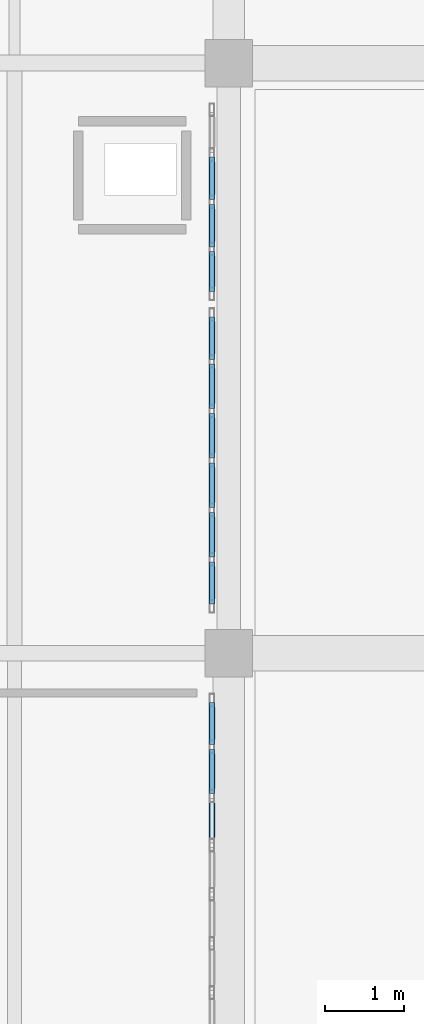
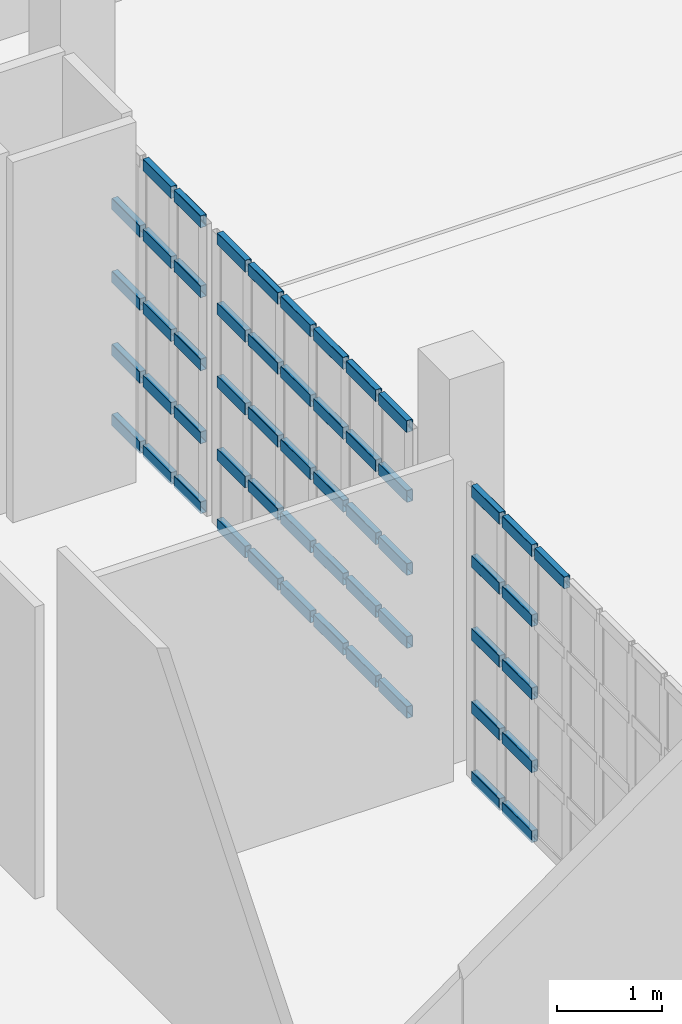
# One storey, part 43 of 73: 55 members, 3 elements without a shape of their own.
"""IFC4 building model written with IfcOpenShell, lengths in metres."""

from ifc_helpers import new_model, si_unit, direction, frame, origin, origin_2d, place, context, subcontext, project, spatial, hollow_rectangle, extrude, material, material_profile, profile_set, type_object, element, aggregate, save


model = new_model("IFC4")

# Units and contexts
model_context = context("Model", 3, precision=1e-05, world=origin(), true_north=direction((0.0, 1.0)))
body_context = subcontext(model_context, "Body", "Model", "MODEL_VIEW")
ifc_project = project(units=[si_unit("LENGTHUNIT", "METRE"), si_unit("AREAUNIT", "SQUARE_METRE"), si_unit("VOLUMEUNIT", "CUBIC_METRE"), si_unit("PLANEANGLEUNIT", "RADIAN"), si_unit("MASSUNIT", "GRAM", prefix="KILO")], contexts=[model_context])

# Site, building, storey
site_placement = place(None, origin())
site = spatial("IfcSite", under=ifc_project, at=site_placement, CompositionType="ELEMENT")
building_placement = place(site_placement, origin())
building = spatial("IfcBuilding", under=site, at=building_placement, Name="Kaelora Sail Theatre", CompositionType="ELEMENT")
storey_placement = place(building_placement, frame((0.0, 0.0, 10.199951171875)))
storey = spatial("IfcBuildingStorey", under=building, at=storey_placement, Name="L02", CompositionType="ELEMENT", Elevation=10.199951171875)

# Curtain wall, members
ifc_material_1 = material(Name="Anodised aluminium and solar-control low-E IGU", Category="aluminium")
curtain_wall_type = type_object("IfcCurtainWallType", Name="ARC-CW-CW-BRG", PredefinedType="NOTDEFINED", material=ifc_material_1)
curtain_wall_1_placement = place(storey_placement, origin())
curtain_wall_1 = element("IfcCurtainWall", 1, at=curtain_wall_1_placement, inside=storey, type_object=curtain_wall_type, Name="Glazed Colonnade/Courtyard Curtain Wall FC2-STEP-E-L02-02", PredefinedType="NOTDEFINED")
ifc_material_2 = material(Name="Anodised aluminium 6063-T6", Category="aluminium")
ifc_material_profile = material_profile(ifc_material_2, hollow_rectangle(XDim=0.070068359375, YDim=0.139892578125, WallThickness=0.00390625, InnerFilletRadius=0.00390625, OuterFilletRadius=0.008056640625, at=origin_2d()), Name="ALU-TRAN 70x140x4")
ifc_profile_set = profile_set([ifc_material_profile], Name="Anodised aluminium 6063-T6")
member_type = type_object("IfcMemberType", Name="ARC-MEM-TR-140", PredefinedType="USERDEFINED", material=ifc_profile_set)
member_1_placement = place(storey_placement, frame((122.7900390625, 73.510009765625, 3.3720703125), z_axis=(0.0, 1.0, 0.0), x_axis=(-1.0, 0.0, 0.0)))
member_1 = element("IfcMember", 2, at=member_1_placement, type_object=member_type, Name="CW-BRG transom 5.5", ObjectType="TRANSOM", PredefinedType="USERDEFINED", context=body_context, shape_type="SweptSolid", body=[
    extrude(hollow_rectangle(XDim=0.070068359375, YDim=0.139892578125, WallThickness=0.00390625, InnerFilletRadius=0.00390625, OuterFilletRadius=0.008056640625, at=origin_2d()), origin(), (0.0, 0.0, 1.0), 0.56005859375),
])
member_2_placement = place(storey_placement, frame((122.7900390625, 74.1298828125, 0.03515625), z_axis=(0.0, 1.0, 0.0), x_axis=(-1.0, 0.0, 0.0)))
member_2 = element("IfcMember", 3, at=member_2_placement, type_object=member_type, Name="CW-BRG transom 6.1", ObjectType="TRANSOM", PredefinedType="USERDEFINED", context=body_context, shape_type="SweptSolid", body=[
    extrude(hollow_rectangle(XDim=0.070068359375, YDim=0.139892578125, WallThickness=0.00390625, InnerFilletRadius=0.00390625, OuterFilletRadius=0.008056640625, at=origin_2d()), origin(), (0.0, 0.0, 1.0), 0.56005859375),
])
member_3_placement = place(storey_placement, frame((122.7900390625, 74.1298828125, 0.851806640625), z_axis=(0.0, 1.0, 0.0), x_axis=(-1.0, 0.0, 0.0)))
member_3 = element("IfcMember", 4, at=member_3_placement, type_object=member_type, Name="CW-BRG transom 6.2", ObjectType="TRANSOM", PredefinedType="USERDEFINED", context=body_context, shape_type="SweptSolid", body=[
    extrude(hollow_rectangle(XDim=0.070068359375, YDim=0.139892578125, WallThickness=0.00390625, InnerFilletRadius=0.00390625, OuterFilletRadius=0.008056640625, at=origin_2d()), origin(), (0.0, 0.0, 1.0), 0.56005859375),
])
member_4_placement = place(storey_placement, frame((122.7900390625, 74.1298828125, 1.70361328125), z_axis=(0.0, 1.0, 0.0), x_axis=(-1.0, 0.0, 0.0)))
member_4 = element("IfcMember", 5, at=member_4_placement, type_object=member_type, Name="CW-BRG transom 6.3", ObjectType="TRANSOM", PredefinedType="USERDEFINED", context=body_context, shape_type="SweptSolid", body=[
    extrude(hollow_rectangle(XDim=0.070068359375, YDim=0.139892578125, WallThickness=0.00390625, InnerFilletRadius=0.00390625, OuterFilletRadius=0.008056640625, at=origin_2d()), origin(), (0.0, 0.0, 1.0), 0.56005859375),
])
member_5_placement = place(storey_placement, frame((122.7900390625, 74.1298828125, 2.555419921875), z_axis=(0.0, 1.0, 0.0), x_axis=(-1.0, 0.0, 0.0)))
member_5 = element("IfcMember", 6, at=member_5_placement, type_object=member_type, Name="CW-BRG transom 6.4", ObjectType="TRANSOM", PredefinedType="USERDEFINED", context=body_context, shape_type="SweptSolid", body=[
    extrude(hollow_rectangle(XDim=0.070068359375, YDim=0.139892578125, WallThickness=0.00390625, InnerFilletRadius=0.00390625, OuterFilletRadius=0.008056640625, at=origin_2d()), origin(), (0.0, 0.0, 1.0), 0.56005859375),
])
member_6_placement = place(storey_placement, frame((122.7900390625, 74.1298828125, 3.3720703125), z_axis=(0.0, 1.0, 0.0), x_axis=(-1.0, 0.0, 0.0)))
member_6 = element("IfcMember", 7, at=member_6_placement, type_object=member_type, Name="CW-BRG transom 6.5", ObjectType="TRANSOM", PredefinedType="USERDEFINED", context=body_context, shape_type="SweptSolid", body=[
    extrude(hollow_rectangle(XDim=0.070068359375, YDim=0.139892578125, WallThickness=0.00390625, InnerFilletRadius=0.00390625, OuterFilletRadius=0.008056640625, at=origin_2d()), origin(), (0.0, 0.0, 1.0), 0.56005859375),
])
member_7_placement = place(storey_placement, frame((122.7900390625, 74.75, 0.03515625), z_axis=(0.0, 1.0, 0.0), x_axis=(-1.0, 0.0, 0.0)))
member_7 = element("IfcMember", 8, at=member_7_placement, type_object=member_type, Name="CW-BRG transom 7.1", ObjectType="TRANSOM", PredefinedType="USERDEFINED", context=body_context, shape_type="SweptSolid", body=[
    extrude(hollow_rectangle(XDim=0.070068359375, YDim=0.139892578125, WallThickness=0.00390625, InnerFilletRadius=0.00390625, OuterFilletRadius=0.008056640625, at=origin_2d()), origin(), (0.0, 0.0, 1.0), 0.530029296875),
])
member_8_placement = place(storey_placement, frame((122.7900390625, 74.75, 0.851806640625), z_axis=(0.0, 1.0, 0.0), x_axis=(-1.0, 0.0, 0.0)))
member_8 = element("IfcMember", 9, at=member_8_placement, type_object=member_type, Name="CW-BRG transom 7.2", ObjectType="TRANSOM", PredefinedType="USERDEFINED", context=body_context, shape_type="SweptSolid", body=[
    extrude(hollow_rectangle(XDim=0.070068359375, YDim=0.139892578125, WallThickness=0.00390625, InnerFilletRadius=0.00390625, OuterFilletRadius=0.008056640625, at=origin_2d()), origin(), (0.0, 0.0, 1.0), 0.530029296875),
])
member_9_placement = place(storey_placement, frame((122.7900390625, 74.75, 1.70361328125), z_axis=(0.0, 1.0, 0.0), x_axis=(-1.0, 0.0, 0.0)))
member_9 = element("IfcMember", 10, at=member_9_placement, type_object=member_type, Name="CW-BRG transom 7.3", ObjectType="TRANSOM", PredefinedType="USERDEFINED", context=body_context, shape_type="SweptSolid", body=[
    extrude(hollow_rectangle(XDim=0.070068359375, YDim=0.139892578125, WallThickness=0.00390625, InnerFilletRadius=0.00390625, OuterFilletRadius=0.008056640625, at=origin_2d()), origin(), (0.0, 0.0, 1.0), 0.530029296875),
])
member_10_placement = place(storey_placement, frame((122.7900390625, 74.75, 2.555419921875), z_axis=(0.0, 1.0, 0.0), x_axis=(-1.0, 0.0, 0.0)))
member_10 = element("IfcMember", 11, at=member_10_placement, type_object=member_type, Name="CW-BRG transom 7.4", ObjectType="TRANSOM", PredefinedType="USERDEFINED", context=body_context, shape_type="SweptSolid", body=[
    extrude(hollow_rectangle(XDim=0.070068359375, YDim=0.139892578125, WallThickness=0.00390625, InnerFilletRadius=0.00390625, OuterFilletRadius=0.008056640625, at=origin_2d()), origin(), (0.0, 0.0, 1.0), 0.530029296875),
])
member_11_placement = place(storey_placement, frame((122.7900390625, 74.75, 3.3720703125), z_axis=(0.0, 1.0, 0.0), x_axis=(-1.0, 0.0, 0.0)))
member_11 = element("IfcMember", 12, at=member_11_placement, type_object=member_type, Name="CW-BRG transom 7.5", ObjectType="TRANSOM", PredefinedType="USERDEFINED", context=body_context, shape_type="SweptSolid", body=[
    extrude(hollow_rectangle(XDim=0.070068359375, YDim=0.139892578125, WallThickness=0.00390625, InnerFilletRadius=0.00390625, OuterFilletRadius=0.008056640625, at=origin_2d()), origin(), (0.0, 0.0, 1.0), 0.530029296875),
])
aggregate(curtain_wall_1, [member_1, member_2, member_3, member_4, member_5, member_6, member_7, member_8, member_9, member_10, member_11])

curtain_wall_2_placement = place(storey_placement, origin())
curtain_wall_2 = element("IfcCurtainWall", 13, at=curtain_wall_2_placement, inside=storey, type_object=curtain_wall_type, Name="Glazed Colonnade/Courtyard Curtain Wall FC2-STEP-E-L02-03", PredefinedType="NOTDEFINED")
member_12_placement = place(storey_placement, frame((122.7900390625, 76.52001953125, 0.03515625), z_axis=(0.0, 1.0, 0.0), x_axis=(-1.0, 0.0, 0.0)))
member_12 = element("IfcMember", 14, at=member_12_placement, type_object=member_type, Name="CW-BRG transom 1.1", ObjectType="TRANSOM", PredefinedType="USERDEFINED", context=body_context, shape_type="SweptSolid", body=[
    extrude(hollow_rectangle(XDim=0.070068359375, YDim=0.139892578125, WallThickness=0.00390625, InnerFilletRadius=0.00390625, OuterFilletRadius=0.008056640625, at=origin_2d()), origin(), (0.0, 0.0, 1.0), 0.533203125),
])
member_13_placement = place(storey_placement, frame((122.7900390625, 76.52001953125, 0.851806640625), z_axis=(0.0, 1.0, 0.0), x_axis=(-1.0, 0.0, 0.0)))
member_13 = element("IfcMember", 15, at=member_13_placement, type_object=member_type, Name="CW-BRG transom 1.2", ObjectType="TRANSOM", PredefinedType="USERDEFINED", context=body_context, shape_type="SweptSolid", body=[
    extrude(hollow_rectangle(XDim=0.070068359375, YDim=0.139892578125, WallThickness=0.00390625, InnerFilletRadius=0.00390625, OuterFilletRadius=0.008056640625, at=origin_2d()), origin(), (0.0, 0.0, 1.0), 0.533203125),
])
member_14_placement = place(storey_placement, frame((122.7900390625, 76.52001953125, 1.70361328125), z_axis=(0.0, 1.0, 0.0), x_axis=(-1.0, 0.0, 0.0)))
member_14 = element("IfcMember", 16, at=member_14_placement, type_object=member_type, Name="CW-BRG transom 1.3", ObjectType="TRANSOM", PredefinedType="USERDEFINED", context=body_context, shape_type="SweptSolid", body=[
    extrude(hollow_rectangle(XDim=0.070068359375, YDim=0.139892578125, WallThickness=0.00390625, InnerFilletRadius=0.00390625, OuterFilletRadius=0.008056640625, at=origin_2d()), origin(), (0.0, 0.0, 1.0), 0.533203125),
])
member_15_placement = place(storey_placement, frame((122.7900390625, 76.52001953125, 2.555419921875), z_axis=(0.0, 1.0, 0.0), x_axis=(-1.0, 0.0, 0.0)))
member_15 = element("IfcMember", 17, at=member_15_placement, type_object=member_type, Name="CW-BRG transom 1.4", ObjectType="TRANSOM", PredefinedType="USERDEFINED", context=body_context, shape_type="SweptSolid", body=[
    extrude(hollow_rectangle(XDim=0.070068359375, YDim=0.139892578125, WallThickness=0.00390625, InnerFilletRadius=0.00390625, OuterFilletRadius=0.008056640625, at=origin_2d()), origin(), (0.0, 0.0, 1.0), 0.533203125),
])
member_16_placement = place(storey_placement, frame((122.7900390625, 76.52001953125, 3.3720703125), z_axis=(0.0, 1.0, 0.0), x_axis=(-1.0, 0.0, 0.0)))
member_16 = element("IfcMember", 18, at=member_16_placement, type_object=member_type, Name="CW-BRG transom 1.5", ObjectType="TRANSOM", PredefinedType="USERDEFINED", context=body_context, shape_type="SweptSolid", body=[
    extrude(hollow_rectangle(XDim=0.070068359375, YDim=0.139892578125, WallThickness=0.00390625, InnerFilletRadius=0.00390625, OuterFilletRadius=0.008056640625, at=origin_2d()), origin(), (0.0, 0.0, 1.0), 0.533203125),
])
member_17_placement = place(storey_placement, frame((122.7900390625, 77.11328125, 0.03515625), z_axis=(0.0, 1.0, 0.0), x_axis=(-1.0, 0.0, 0.0)))
member_17 = element("IfcMember", 19, at=member_17_placement, type_object=member_type, Name="CW-BRG transom 2.1", ObjectType="TRANSOM", PredefinedType="USERDEFINED", context=body_context, shape_type="SweptSolid", body=[
    extrude(hollow_rectangle(XDim=0.070068359375, YDim=0.139892578125, WallThickness=0.00390625, InnerFilletRadius=0.00390625, OuterFilletRadius=0.008056640625, at=origin_2d()), origin(), (0.0, 0.0, 1.0), 0.5634765625),
])
member_18_placement = place(storey_placement, frame((122.7900390625, 77.11328125, 0.851806640625), z_axis=(0.0, 1.0, 0.0), x_axis=(-1.0, 0.0, 0.0)))
member_18 = element("IfcMember", 20, at=member_18_placement, type_object=member_type, Name="CW-BRG transom 2.2", ObjectType="TRANSOM", PredefinedType="USERDEFINED", context=body_context, shape_type="SweptSolid", body=[
    extrude(hollow_rectangle(XDim=0.070068359375, YDim=0.139892578125, WallThickness=0.00390625, InnerFilletRadius=0.00390625, OuterFilletRadius=0.008056640625, at=origin_2d()), origin(), (0.0, 0.0, 1.0), 0.5634765625),
])
member_19_placement = place(storey_placement, frame((122.7900390625, 77.11328125, 1.70361328125), z_axis=(0.0, 1.0, 0.0), x_axis=(-1.0, 0.0, 0.0)))
member_19 = element("IfcMember", 21, at=member_19_placement, type_object=member_type, Name="CW-BRG transom 2.3", ObjectType="TRANSOM", PredefinedType="USERDEFINED", context=body_context, shape_type="SweptSolid", body=[
    extrude(hollow_rectangle(XDim=0.070068359375, YDim=0.139892578125, WallThickness=0.00390625, InnerFilletRadius=0.00390625, OuterFilletRadius=0.008056640625, at=origin_2d()), origin(), (0.0, 0.0, 1.0), 0.5634765625),
])
member_20_placement = place(storey_placement, frame((122.7900390625, 77.11328125, 2.555419921875), z_axis=(0.0, 1.0, 0.0), x_axis=(-1.0, 0.0, 0.0)))
member_20 = element("IfcMember", 22, at=member_20_placement, type_object=member_type, Name="CW-BRG transom 2.4", ObjectType="TRANSOM", PredefinedType="USERDEFINED", context=body_context, shape_type="SweptSolid", body=[
    extrude(hollow_rectangle(XDim=0.070068359375, YDim=0.139892578125, WallThickness=0.00390625, InnerFilletRadius=0.00390625, OuterFilletRadius=0.008056640625, at=origin_2d()), origin(), (0.0, 0.0, 1.0), 0.5634765625),
])
member_21_placement = place(storey_placement, frame((122.7900390625, 77.11328125, 3.3720703125), z_axis=(0.0, 1.0, 0.0), x_axis=(-1.0, 0.0, 0.0)))
member_21 = element("IfcMember", 23, at=member_21_placement, type_object=member_type, Name="CW-BRG transom 2.5", ObjectType="TRANSOM", PredefinedType="USERDEFINED", context=body_context, shape_type="SweptSolid", body=[
    extrude(hollow_rectangle(XDim=0.070068359375, YDim=0.139892578125, WallThickness=0.00390625, InnerFilletRadius=0.00390625, OuterFilletRadius=0.008056640625, at=origin_2d()), origin(), (0.0, 0.0, 1.0), 0.5634765625),
])
member_22_placement = place(storey_placement, frame((122.7900390625, 77.736572265625, 0.03515625), z_axis=(0.0, 1.0, 0.0), x_axis=(-1.0, 0.0, 0.0)))
member_22 = element("IfcMember", 24, at=member_22_placement, type_object=member_type, Name="CW-BRG transom 3.1", ObjectType="TRANSOM", PredefinedType="USERDEFINED", context=body_context, shape_type="SweptSolid", body=[
    extrude(hollow_rectangle(XDim=0.070068359375, YDim=0.139892578125, WallThickness=0.00390625, InnerFilletRadius=0.00390625, OuterFilletRadius=0.008056640625, at=origin_2d()), origin(), (0.0, 0.0, 1.0), 0.5634765625),
])
member_23_placement = place(storey_placement, frame((122.7900390625, 77.736572265625, 0.851806640625), z_axis=(0.0, 1.0, 0.0), x_axis=(-1.0, 0.0, 0.0)))
member_23 = element("IfcMember", 25, at=member_23_placement, type_object=member_type, Name="CW-BRG transom 3.2", ObjectType="TRANSOM", PredefinedType="USERDEFINED", context=body_context, shape_type="SweptSolid", body=[
    extrude(hollow_rectangle(XDim=0.070068359375, YDim=0.139892578125, WallThickness=0.00390625, InnerFilletRadius=0.00390625, OuterFilletRadius=0.008056640625, at=origin_2d()), origin(), (0.0, 0.0, 1.0), 0.5634765625),
])
member_24_placement = place(storey_placement, frame((122.7900390625, 77.736572265625, 1.70361328125), z_axis=(0.0, 1.0, 0.0), x_axis=(-1.0, 0.0, 0.0)))
member_24 = element("IfcMember", 26, at=member_24_placement, type_object=member_type, Name="CW-BRG transom 3.3", ObjectType="TRANSOM", PredefinedType="USERDEFINED", context=body_context, shape_type="SweptSolid", body=[
    extrude(hollow_rectangle(XDim=0.070068359375, YDim=0.139892578125, WallThickness=0.00390625, InnerFilletRadius=0.00390625, OuterFilletRadius=0.008056640625, at=origin_2d()), origin(), (0.0, 0.0, 1.0), 0.5634765625),
])
member_25_placement = place(storey_placement, frame((122.7900390625, 77.736572265625, 2.555419921875), z_axis=(0.0, 1.0, 0.0), x_axis=(-1.0, 0.0, 0.0)))
member_25 = element("IfcMember", 27, at=member_25_placement, type_object=member_type, Name="CW-BRG transom 3.4", ObjectType="TRANSOM", PredefinedType="USERDEFINED", context=body_context, shape_type="SweptSolid", body=[
    extrude(hollow_rectangle(XDim=0.070068359375, YDim=0.139892578125, WallThickness=0.00390625, InnerFilletRadius=0.00390625, OuterFilletRadius=0.008056640625, at=origin_2d()), origin(), (0.0, 0.0, 1.0), 0.5634765625),
])
member_26_placement = place(storey_placement, frame((122.7900390625, 77.736572265625, 3.3720703125), z_axis=(0.0, 1.0, 0.0), x_axis=(-1.0, 0.0, 0.0)))
member_26 = element("IfcMember", 28, at=member_26_placement, type_object=member_type, Name="CW-BRG transom 3.5", ObjectType="TRANSOM", PredefinedType="USERDEFINED", context=body_context, shape_type="SweptSolid", body=[
    extrude(hollow_rectangle(XDim=0.070068359375, YDim=0.139892578125, WallThickness=0.00390625, InnerFilletRadius=0.00390625, OuterFilletRadius=0.008056640625, at=origin_2d()), origin(), (0.0, 0.0, 1.0), 0.5634765625),
])
member_27_placement = place(storey_placement, frame((122.7900390625, 78.360107421875, 0.03515625), z_axis=(0.0, 1.0, 0.0), x_axis=(-1.0, 0.0, 0.0)))
member_27 = element("IfcMember", 29, at=member_27_placement, type_object=member_type, Name="CW-BRG transom 4.1", ObjectType="TRANSOM", PredefinedType="USERDEFINED", context=body_context, shape_type="SweptSolid", body=[
    extrude(hollow_rectangle(XDim=0.070068359375, YDim=0.139892578125, WallThickness=0.00390625, InnerFilletRadius=0.00390625, OuterFilletRadius=0.008056640625, at=origin_2d()), origin(), (0.0, 0.0, 1.0), 0.563232421875),
])
member_28_placement = place(storey_placement, frame((122.7900390625, 78.360107421875, 0.851806640625), z_axis=(0.0, 1.0, 0.0), x_axis=(-1.0, 0.0, 0.0)))
member_28 = element("IfcMember", 30, at=member_28_placement, type_object=member_type, Name="CW-BRG transom 4.2", ObjectType="TRANSOM", PredefinedType="USERDEFINED", context=body_context, shape_type="SweptSolid", body=[
    extrude(hollow_rectangle(XDim=0.070068359375, YDim=0.139892578125, WallThickness=0.00390625, InnerFilletRadius=0.00390625, OuterFilletRadius=0.008056640625, at=origin_2d()), origin(), (0.0, 0.0, 1.0), 0.563232421875),
])
member_29_placement = place(storey_placement, frame((122.7900390625, 78.360107421875, 1.70361328125), z_axis=(0.0, 1.0, 0.0), x_axis=(-1.0, 0.0, 0.0)))
member_29 = element("IfcMember", 31, at=member_29_placement, type_object=member_type, Name="CW-BRG transom 4.3", ObjectType="TRANSOM", PredefinedType="USERDEFINED", context=body_context, shape_type="SweptSolid", body=[
    extrude(hollow_rectangle(XDim=0.070068359375, YDim=0.139892578125, WallThickness=0.00390625, InnerFilletRadius=0.00390625, OuterFilletRadius=0.008056640625, at=origin_2d()), origin(), (0.0, 0.0, 1.0), 0.563232421875),
])
member_30_placement = place(storey_placement, frame((122.7900390625, 78.360107421875, 2.555419921875), z_axis=(0.0, 1.0, 0.0), x_axis=(-1.0, 0.0, 0.0)))
member_30 = element("IfcMember", 32, at=member_30_placement, type_object=member_type, Name="CW-BRG transom 4.4", ObjectType="TRANSOM", PredefinedType="USERDEFINED", context=body_context, shape_type="SweptSolid", body=[
    extrude(hollow_rectangle(XDim=0.070068359375, YDim=0.139892578125, WallThickness=0.00390625, InnerFilletRadius=0.00390625, OuterFilletRadius=0.008056640625, at=origin_2d()), origin(), (0.0, 0.0, 1.0), 0.563232421875),
])
member_31_placement = place(storey_placement, frame((122.7900390625, 78.360107421875, 3.3720703125), z_axis=(0.0, 1.0, 0.0), x_axis=(-1.0, 0.0, 0.0)))
member_31 = element("IfcMember", 33, at=member_31_placement, type_object=member_type, Name="CW-BRG transom 4.5", ObjectType="TRANSOM", PredefinedType="USERDEFINED", context=body_context, shape_type="SweptSolid", body=[
    extrude(hollow_rectangle(XDim=0.070068359375, YDim=0.139892578125, WallThickness=0.00390625, InnerFilletRadius=0.00390625, OuterFilletRadius=0.008056640625, at=origin_2d()), origin(), (0.0, 0.0, 1.0), 0.563232421875),
])
member_32_placement = place(storey_placement, frame((122.7900390625, 78.9833984375, 0.03515625), z_axis=(0.0, 1.0, 0.0), x_axis=(-1.0, 0.0, 0.0)))
member_32 = element("IfcMember", 34, at=member_32_placement, type_object=member_type, Name="CW-BRG transom 5.1", ObjectType="TRANSOM", PredefinedType="USERDEFINED", context=body_context, shape_type="SweptSolid", body=[
    extrude(hollow_rectangle(XDim=0.070068359375, YDim=0.139892578125, WallThickness=0.00390625, InnerFilletRadius=0.00390625, OuterFilletRadius=0.008056640625, at=origin_2d()), origin(), (0.0, 0.0, 1.0), 0.563232421875),
])
member_33_placement = place(storey_placement, frame((122.7900390625, 78.9833984375, 0.851806640625), z_axis=(0.0, 1.0, 0.0), x_axis=(-1.0, 0.0, 0.0)))
member_33 = element("IfcMember", 35, at=member_33_placement, type_object=member_type, Name="CW-BRG transom 5.2", ObjectType="TRANSOM", PredefinedType="USERDEFINED", context=body_context, shape_type="SweptSolid", body=[
    extrude(hollow_rectangle(XDim=0.070068359375, YDim=0.139892578125, WallThickness=0.00390625, InnerFilletRadius=0.00390625, OuterFilletRadius=0.008056640625, at=origin_2d()), origin(), (0.0, 0.0, 1.0), 0.563232421875),
])
member_34_placement = place(storey_placement, frame((122.7900390625, 78.9833984375, 1.70361328125), z_axis=(0.0, 1.0, 0.0), x_axis=(-1.0, 0.0, 0.0)))
member_34 = element("IfcMember", 36, at=member_34_placement, type_object=member_type, Name="CW-BRG transom 5.3", ObjectType="TRANSOM", PredefinedType="USERDEFINED", context=body_context, shape_type="SweptSolid", body=[
    extrude(hollow_rectangle(XDim=0.070068359375, YDim=0.139892578125, WallThickness=0.00390625, InnerFilletRadius=0.00390625, OuterFilletRadius=0.008056640625, at=origin_2d()), origin(), (0.0, 0.0, 1.0), 0.563232421875),
])
member_35_placement = place(storey_placement, frame((122.7900390625, 78.9833984375, 2.555419921875), z_axis=(0.0, 1.0, 0.0), x_axis=(-1.0, 0.0, 0.0)))
member_35 = element("IfcMember", 37, at=member_35_placement, type_object=member_type, Name="CW-BRG transom 5.4", ObjectType="TRANSOM", PredefinedType="USERDEFINED", context=body_context, shape_type="SweptSolid", body=[
    extrude(hollow_rectangle(XDim=0.070068359375, YDim=0.139892578125, WallThickness=0.00390625, InnerFilletRadius=0.00390625, OuterFilletRadius=0.008056640625, at=origin_2d()), origin(), (0.0, 0.0, 1.0), 0.563232421875),
])
member_36_placement = place(storey_placement, frame((122.7900390625, 78.9833984375, 3.3720703125), z_axis=(0.0, 1.0, 0.0), x_axis=(-1.0, 0.0, 0.0)))
member_36 = element("IfcMember", 38, at=member_36_placement, type_object=member_type, Name="CW-BRG transom 5.5", ObjectType="TRANSOM", PredefinedType="USERDEFINED", context=body_context, shape_type="SweptSolid", body=[
    extrude(hollow_rectangle(XDim=0.070068359375, YDim=0.139892578125, WallThickness=0.00390625, InnerFilletRadius=0.00390625, OuterFilletRadius=0.008056640625, at=origin_2d()), origin(), (0.0, 0.0, 1.0), 0.563232421875),
])
member_37_placement = place(storey_placement, frame((122.7900390625, 79.606689453125, 0.03515625), z_axis=(0.0, 1.0, 0.0), x_axis=(-1.0, 0.0, 0.0)))
member_37 = element("IfcMember", 39, at=member_37_placement, type_object=member_type, Name="CW-BRG transom 6.1", ObjectType="TRANSOM", PredefinedType="USERDEFINED", context=body_context, shape_type="SweptSolid", body=[
    extrude(hollow_rectangle(XDim=0.070068359375, YDim=0.139892578125, WallThickness=0.00390625, InnerFilletRadius=0.00390625, OuterFilletRadius=0.008056640625, at=origin_2d()), origin(), (0.0, 0.0, 1.0), 0.533203125),
])
member_38_placement = place(storey_placement, frame((122.7900390625, 79.606689453125, 0.851806640625), z_axis=(0.0, 1.0, 0.0), x_axis=(-1.0, 0.0, 0.0)))
member_38 = element("IfcMember", 40, at=member_38_placement, type_object=member_type, Name="CW-BRG transom 6.2", ObjectType="TRANSOM", PredefinedType="USERDEFINED", context=body_context, shape_type="SweptSolid", body=[
    extrude(hollow_rectangle(XDim=0.070068359375, YDim=0.139892578125, WallThickness=0.00390625, InnerFilletRadius=0.00390625, OuterFilletRadius=0.008056640625, at=origin_2d()), origin(), (0.0, 0.0, 1.0), 0.533203125),
])
member_39_placement = place(storey_placement, frame((122.7900390625, 79.606689453125, 1.70361328125), z_axis=(0.0, 1.0, 0.0), x_axis=(-1.0, 0.0, 0.0)))
member_39 = element("IfcMember", 41, at=member_39_placement, type_object=member_type, Name="CW-BRG transom 6.3", ObjectType="TRANSOM", PredefinedType="USERDEFINED", context=body_context, shape_type="SweptSolid", body=[
    extrude(hollow_rectangle(XDim=0.070068359375, YDim=0.139892578125, WallThickness=0.00390625, InnerFilletRadius=0.00390625, OuterFilletRadius=0.008056640625, at=origin_2d()), origin(), (0.0, 0.0, 1.0), 0.533203125),
])
member_40_placement = place(storey_placement, frame((122.7900390625, 79.606689453125, 2.555419921875), z_axis=(0.0, 1.0, 0.0), x_axis=(-1.0, 0.0, 0.0)))
member_40 = element("IfcMember", 42, at=member_40_placement, type_object=member_type, Name="CW-BRG transom 6.4", ObjectType="TRANSOM", PredefinedType="USERDEFINED", context=body_context, shape_type="SweptSolid", body=[
    extrude(hollow_rectangle(XDim=0.070068359375, YDim=0.139892578125, WallThickness=0.00390625, InnerFilletRadius=0.00390625, OuterFilletRadius=0.008056640625, at=origin_2d()), origin(), (0.0, 0.0, 1.0), 0.533203125),
])
member_41_placement = place(storey_placement, frame((122.7900390625, 79.606689453125, 3.3720703125), z_axis=(0.0, 1.0, 0.0), x_axis=(-1.0, 0.0, 0.0)))
member_41 = element("IfcMember", 43, at=member_41_placement, type_object=member_type, Name="CW-BRG transom 6.5", ObjectType="TRANSOM", PredefinedType="USERDEFINED", context=body_context, shape_type="SweptSolid", body=[
    extrude(hollow_rectangle(XDim=0.070068359375, YDim=0.139892578125, WallThickness=0.00390625, InnerFilletRadius=0.00390625, OuterFilletRadius=0.008056640625, at=origin_2d()), origin(), (0.0, 0.0, 1.0), 0.533203125),
])
aggregate(curtain_wall_2, [member_12, member_13, member_14, member_15, member_16, member_17, member_18, member_19, member_20, member_21, member_22, member_23, member_24, member_25, member_26, member_27, member_28, member_29, member_30, member_31, member_32, member_33, member_34, member_35, member_36, member_37, member_38, member_39, member_40, member_41])

curtain_wall_3_placement = place(storey_placement, origin())
curtain_wall_3 = element("IfcCurtainWall", 44, at=curtain_wall_3_placement, inside=storey, type_object=curtain_wall_type, Name="Glazed Colonnade/Courtyard Curtain Wall FC2-STEP-E-L02-04", PredefinedType="NOTDEFINED")
member_42_placement = place(storey_placement, frame((122.7900390625, 80.4599609375, 0.03515625), z_axis=(0.0, 1.0, 0.0), x_axis=(-1.0, 0.0, 0.0)))
member_42 = element("IfcMember", 45, at=member_42_placement, type_object=member_type, Name="CW-BRG transom 1.1", ObjectType="TRANSOM", PredefinedType="USERDEFINED", context=body_context, shape_type="SweptSolid", body=[
    extrude(hollow_rectangle(XDim=0.070068359375, YDim=0.139892578125, WallThickness=0.00390625, InnerFilletRadius=0.00390625, OuterFilletRadius=0.008056640625, at=origin_2d()), origin(), (0.0, 0.0, 1.0), 0.505126953125),
])
member_43_placement = place(storey_placement, frame((122.7900390625, 80.4599609375, 0.851806640625), z_axis=(0.0, 1.0, 0.0), x_axis=(-1.0, 0.0, 0.0)))
member_43 = element("IfcMember", 46, at=member_43_placement, type_object=member_type, Name="CW-BRG transom 1.2", ObjectType="TRANSOM", PredefinedType="USERDEFINED", context=body_context, shape_type="SweptSolid", body=[
    extrude(hollow_rectangle(XDim=0.070068359375, YDim=0.139892578125, WallThickness=0.00390625, InnerFilletRadius=0.00390625, OuterFilletRadius=0.008056640625, at=origin_2d()), origin(), (0.0, 0.0, 1.0), 0.505126953125),
])
member_44_placement = place(storey_placement, frame((122.7900390625, 80.4599609375, 1.70361328125), z_axis=(0.0, 1.0, 0.0), x_axis=(-1.0, 0.0, 0.0)))
member_44 = element("IfcMember", 47, at=member_44_placement, type_object=member_type, Name="CW-BRG transom 1.3", ObjectType="TRANSOM", PredefinedType="USERDEFINED", context=body_context, shape_type="SweptSolid", body=[
    extrude(hollow_rectangle(XDim=0.070068359375, YDim=0.139892578125, WallThickness=0.00390625, InnerFilletRadius=0.00390625, OuterFilletRadius=0.008056640625, at=origin_2d()), origin(), (0.0, 0.0, 1.0), 0.505126953125),
])
member_45_placement = place(storey_placement, frame((122.7900390625, 80.4599609375, 2.555419921875), z_axis=(0.0, 1.0, 0.0), x_axis=(-1.0, 0.0, 0.0)))
member_45 = element("IfcMember", 48, at=member_45_placement, type_object=member_type, Name="CW-BRG transom 1.4", ObjectType="TRANSOM", PredefinedType="USERDEFINED", context=body_context, shape_type="SweptSolid", body=[
    extrude(hollow_rectangle(XDim=0.070068359375, YDim=0.139892578125, WallThickness=0.00390625, InnerFilletRadius=0.00390625, OuterFilletRadius=0.008056640625, at=origin_2d()), origin(), (0.0, 0.0, 1.0), 0.505126953125),
])
member_46_placement = place(storey_placement, frame((122.7900390625, 80.4599609375, 3.3720703125), z_axis=(0.0, 1.0, 0.0), x_axis=(-1.0, 0.0, 0.0)))
member_46 = element("IfcMember", 49, at=member_46_placement, type_object=member_type, Name="CW-BRG transom 1.5", ObjectType="TRANSOM", PredefinedType="USERDEFINED", context=body_context, shape_type="SweptSolid", body=[
    extrude(hollow_rectangle(XDim=0.070068359375, YDim=0.139892578125, WallThickness=0.00390625, InnerFilletRadius=0.00390625, OuterFilletRadius=0.008056640625, at=origin_2d()), origin(), (0.0, 0.0, 1.0), 0.505126953125),
])
member_47_placement = place(storey_placement, frame((122.7900390625, 81.02490234375, 0.03515625), z_axis=(0.0, 1.0, 0.0), x_axis=(-1.0, 0.0, 0.0)))
member_47 = element("IfcMember", 50, at=member_47_placement, type_object=member_type, Name="CW-BRG transom 2.1", ObjectType="TRANSOM", PredefinedType="USERDEFINED", context=body_context, shape_type="SweptSolid", body=[
    extrude(hollow_rectangle(XDim=0.070068359375, YDim=0.139892578125, WallThickness=0.00390625, InnerFilletRadius=0.00390625, OuterFilletRadius=0.008056640625, at=origin_2d()), origin(), (0.0, 0.0, 1.0), 0.53515625),
])
member_48_placement = place(storey_placement, frame((122.7900390625, 81.02490234375, 0.851806640625), z_axis=(0.0, 1.0, 0.0), x_axis=(-1.0, 0.0, 0.0)))
member_48 = element("IfcMember", 51, at=member_48_placement, type_object=member_type, Name="CW-BRG transom 2.2", ObjectType="TRANSOM", PredefinedType="USERDEFINED", context=body_context, shape_type="SweptSolid", body=[
    extrude(hollow_rectangle(XDim=0.070068359375, YDim=0.139892578125, WallThickness=0.00390625, InnerFilletRadius=0.00390625, OuterFilletRadius=0.008056640625, at=origin_2d()), origin(), (0.0, 0.0, 1.0), 0.53515625),
])
member_49_placement = place(storey_placement, frame((122.7900390625, 81.02490234375, 1.70361328125), z_axis=(0.0, 1.0, 0.0), x_axis=(-1.0, 0.0, 0.0)))
member_49 = element("IfcMember", 52, at=member_49_placement, type_object=member_type, Name="CW-BRG transom 2.3", ObjectType="TRANSOM", PredefinedType="USERDEFINED", context=body_context, shape_type="SweptSolid", body=[
    extrude(hollow_rectangle(XDim=0.070068359375, YDim=0.139892578125, WallThickness=0.00390625, InnerFilletRadius=0.00390625, OuterFilletRadius=0.008056640625, at=origin_2d()), origin(), (0.0, 0.0, 1.0), 0.53515625),
])
member_50_placement = place(storey_placement, frame((122.7900390625, 81.02490234375, 2.555419921875), z_axis=(0.0, 1.0, 0.0), x_axis=(-1.0, 0.0, 0.0)))
member_50 = element("IfcMember", 53, at=member_50_placement, type_object=member_type, Name="CW-BRG transom 2.4", ObjectType="TRANSOM", PredefinedType="USERDEFINED", context=body_context, shape_type="SweptSolid", body=[
    extrude(hollow_rectangle(XDim=0.070068359375, YDim=0.139892578125, WallThickness=0.00390625, InnerFilletRadius=0.00390625, OuterFilletRadius=0.008056640625, at=origin_2d()), origin(), (0.0, 0.0, 1.0), 0.53515625),
])
member_51_placement = place(storey_placement, frame((122.7900390625, 81.02490234375, 3.3720703125), z_axis=(0.0, 1.0, 0.0), x_axis=(-1.0, 0.0, 0.0)))
member_51 = element("IfcMember", 54, at=member_51_placement, type_object=member_type, Name="CW-BRG transom 2.5", ObjectType="TRANSOM", PredefinedType="USERDEFINED", context=body_context, shape_type="SweptSolid", body=[
    extrude(hollow_rectangle(XDim=0.070068359375, YDim=0.139892578125, WallThickness=0.00390625, InnerFilletRadius=0.00390625, OuterFilletRadius=0.008056640625, at=origin_2d()), origin(), (0.0, 0.0, 1.0), 0.53515625),
])
member_52_placement = place(storey_placement, frame((122.7900390625, 81.6201171875, 0.03515625), z_axis=(0.0, 1.0, 0.0), x_axis=(-1.0, 0.0, 0.0)))
member_52 = element("IfcMember", 55, at=member_52_placement, type_object=member_type, Name="CW-BRG transom 3.1", ObjectType="TRANSOM", PredefinedType="USERDEFINED", context=body_context, shape_type="SweptSolid", body=[
    extrude(hollow_rectangle(XDim=0.070068359375, YDim=0.139892578125, WallThickness=0.00390625, InnerFilletRadius=0.00390625, OuterFilletRadius=0.008056640625, at=origin_2d()), origin(), (0.0, 0.0, 1.0), 0.534912109375),
])
member_53_placement = place(storey_placement, frame((122.7900390625, 81.6201171875, 0.851806640625), z_axis=(0.0, 1.0, 0.0), x_axis=(-1.0, 0.0, 0.0)))
member_53 = element("IfcMember", 56, at=member_53_placement, type_object=member_type, Name="CW-BRG transom 3.2", ObjectType="TRANSOM", PredefinedType="USERDEFINED", context=body_context, shape_type="SweptSolid", body=[
    extrude(hollow_rectangle(XDim=0.070068359375, YDim=0.139892578125, WallThickness=0.00390625, InnerFilletRadius=0.00390625, OuterFilletRadius=0.008056640625, at=origin_2d()), origin(), (0.0, 0.0, 1.0), 0.534912109375),
])
member_54_placement = place(storey_placement, frame((122.7900390625, 81.6201171875, 1.70361328125), z_axis=(0.0, 1.0, 0.0), x_axis=(-1.0, 0.0, 0.0)))
member_54 = element("IfcMember", 57, at=member_54_placement, type_object=member_type, Name="CW-BRG transom 3.3", ObjectType="TRANSOM", PredefinedType="USERDEFINED", context=body_context, shape_type="SweptSolid", body=[
    extrude(hollow_rectangle(XDim=0.070068359375, YDim=0.139892578125, WallThickness=0.00390625, InnerFilletRadius=0.00390625, OuterFilletRadius=0.008056640625, at=origin_2d()), origin(), (0.0, 0.0, 1.0), 0.534912109375),
])
member_55_placement = place(storey_placement, frame((122.7900390625, 81.6201171875, 2.555419921875), z_axis=(0.0, 1.0, 0.0), x_axis=(-1.0, 0.0, 0.0)))
member_55 = element("IfcMember", 58, at=member_55_placement, type_object=member_type, Name="CW-BRG transom 3.4", ObjectType="TRANSOM", PredefinedType="USERDEFINED", context=body_context, shape_type="SweptSolid", body=[
    extrude(hollow_rectangle(XDim=0.070068359375, YDim=0.139892578125, WallThickness=0.00390625, InnerFilletRadius=0.00390625, OuterFilletRadius=0.008056640625, at=origin_2d()), origin(), (0.0, 0.0, 1.0), 0.534912109375),
])
aggregate(curtain_wall_3, [member_42, member_43, member_44, member_45, member_46, member_47, member_48, member_49, member_50, member_51, member_52, member_53, member_54, member_55])

save(model, "model.ifc")
